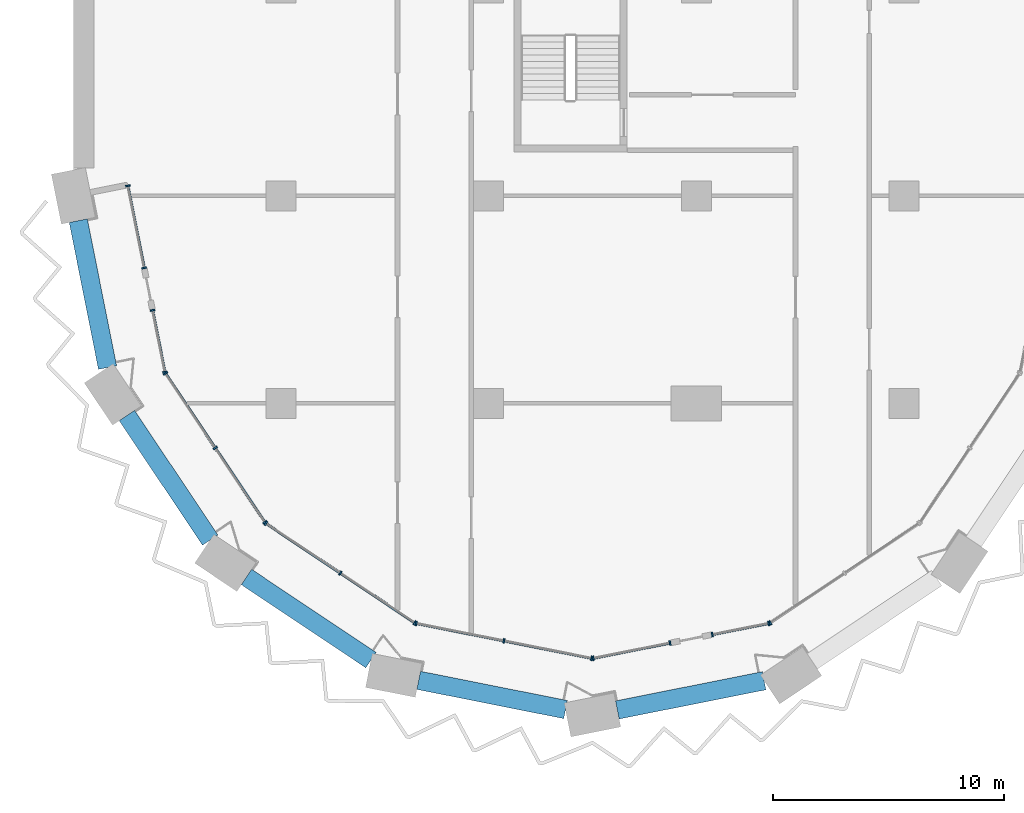
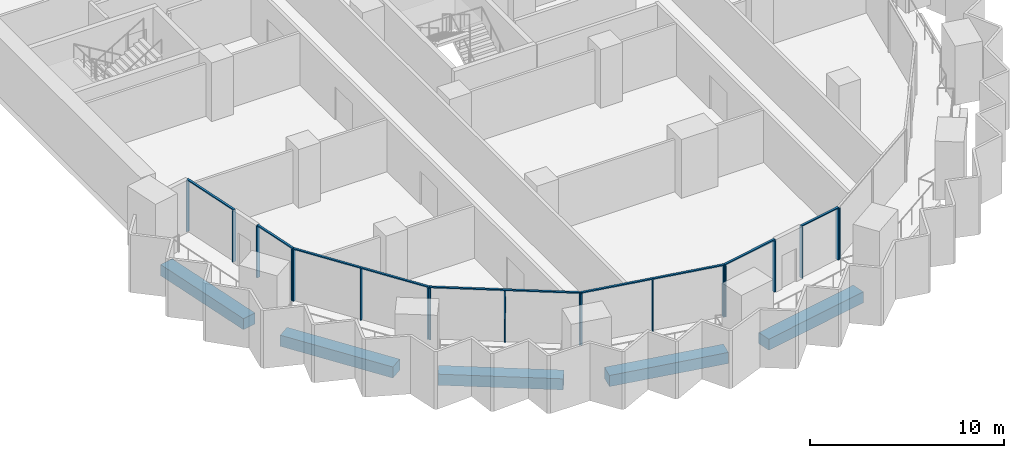
# One storey, part 2 of 23: 25 members, 5 beams, 8 elements without a shape of their own.
"""IFC4 building model written with IfcOpenShell, lengths in metres."""

from ifc_helpers import new_model, si_unit, direction, frame, origin, origin_2d, place, context, subcontext, project, spatial, rectangle, extrude, material, material_profile, profile_set, type_object, element, aggregate, save


model = new_model("IFC4")

# Units and contexts
model_context = context("Model", 3, precision=1e-05, world=origin(), true_north=direction((0.0, 1.0)))
body_context = subcontext(model_context, "Body", "Model", "MODEL_VIEW")
ifc_project = project(units=[si_unit("LENGTHUNIT", "METRE"), si_unit("AREAUNIT", "SQUARE_METRE"), si_unit("VOLUMEUNIT", "CUBIC_METRE"), si_unit("PLANEANGLEUNIT", "RADIAN"), si_unit("MASSUNIT", "GRAM", prefix="KILO")], contexts=[model_context])

# Site, building, storey
site_placement = place(None, origin())
site = spatial("IfcSite", under=ifc_project, at=site_placement, CompositionType="ELEMENT")
building_placement = place(site_placement, origin())
building = spatial("IfcBuilding", under=site, at=building_placement, Name="Hunhe Ridgeline Campus", CompositionType="ELEMENT")
storey_placement = place(building_placement, frame((0.0, 0.0, 107.0)))
storey = spatial("IfcBuildingStorey", under=building, at=storey_placement, Name="L26", CompositionType="ELEMENT", Elevation=107.0)

# Curtain wall, members
ifc_material_1 = material(Name="Aluminium 6063", Category="aluminium")
curtain_wall_type = type_object("IfcCurtainWallType", Name="Curtain wall CW-5", PredefinedType="NOTDEFINED", material=ifc_material_1)
curtain_wall_1_placement = place(storey_placement, origin())
curtain_wall_1 = element("IfcCurtainWall", 1, at=curtain_wall_1_placement, inside=storey, type_object=curtain_wall_type, Name="Curtain wall 01", PredefinedType="NOTDEFINED")
ifc_material_profile_1 = material_profile(ifc_material_1, rectangle(XDim=0.199951171875, YDim=0.070068359375, at=origin_2d()))
ifc_profile_set_1 = profile_set([ifc_material_profile_1], Name="Aluminium 6063")
member_type_1 = type_object("IfcMemberType", Name="CW-5 aluminium mullion", PredefinedType="MULLION", material=ifc_profile_set_1)
member_1_placement = place(storey_placement, frame((2.361572265625, 27.434326171875, 0.0), z_axis=(0.0, 0.0, 1.0), x_axis=(0.980784284924, 0.195095326561, 0.0)))
member_1 = element("IfcMember", 2, at=member_1_placement, type_object=member_type_1, Name="CW-5 mullion 1", PredefinedType="MULLION", context=body_context, shape_type="SweptSolid", body=[
    extrude(rectangle(XDim=0.199951171875, YDim=0.070068359375, at=origin_2d()), origin(), (0.0, 0.0, 1.0), 3.22998046875),
])
member_2_placement = place(storey_placement, frame((3.070068359375, 23.873291015625, 0.0), z_axis=(0.0, 0.0, 1.0), x_axis=(0.980784284924, 0.195095326561, 0.0)))
member_2 = element("IfcMember", 3, at=member_2_placement, type_object=member_type_1, Name="CW-5 mullion 2", PredefinedType="MULLION", context=body_context, shape_type="SweptSolid", body=[
    extrude(rectangle(XDim=0.199951171875, YDim=0.070068359375, at=origin_2d()), origin(), (0.0, 0.0, 1.0), 3.22998046875),
])

curtain_wall_2_placement = place(storey_placement, origin())
curtain_wall_2 = element("IfcCurtainWall", 4, at=curtain_wall_2_placement, inside=storey, type_object=curtain_wall_type, Name="Curtain wall 02", PredefinedType="NOTDEFINED")
member_3_placement = place(storey_placement, frame((3.434814453125, 22.0390625, 0.0), z_axis=(0.0, 0.0, 1.0), x_axis=(0.980784297053, 0.195095265587, 0.0)))
member_3 = element("IfcMember", 5, at=member_3_placement, type_object=member_type_1, Name="CW-5 mullion 1", PredefinedType="MULLION", context=body_context, shape_type="SweptSolid", body=[
    extrude(rectangle(XDim=0.199951171875, YDim=0.070068359375, at=origin_2d()), origin(), (0.0, 0.0, 1.0), 3.22998046875),
])
member_4_placement = place(storey_placement, frame((3.967529296875, 19.36083984375, 0.0), z_axis=(0.0, 0.0, 1.0), x_axis=(0.980784297053, 0.195095265587, 0.0)))
member_4 = element("IfcMember", 6, at=member_4_placement, type_object=member_type_1, Name="CW-5 mullion 2", PredefinedType="MULLION", context=body_context, shape_type="SweptSolid", body=[
    extrude(rectangle(XDim=0.199951171875, YDim=0.070068359375, at=origin_2d()), origin(), (0.0, 0.0, 1.0), 3.22998046875),
])

curtain_wall_3_placement = place(storey_placement, origin())
curtain_wall_3 = element("IfcCurtainWall", 7, at=curtain_wall_3_placement, inside=storey, type_object=curtain_wall_type, Name="Curtain wall 03", PredefinedType="NOTDEFINED")
member_5_placement = place(storey_placement, frame((3.993896484375, 19.29736328125, 0.0), z_axis=(0.0, 0.0, 1.0), x_axis=(0.831469584522, 0.555570274596, 0.0)))
member_5 = element("IfcMember", 8, at=member_5_placement, type_object=member_type_1, Name="CW-5 mullion 1", PredefinedType="MULLION", context=body_context, shape_type="SweptSolid", body=[
    extrude(rectangle(XDim=0.199951171875, YDim=0.070068359375, at=origin_2d()), origin(), (0.0, 0.0, 1.0), 3.22998046875),
])
member_6_placement = place(storey_placement, frame((6.147705078125, 16.07373046875, 0.0), z_axis=(0.0, 0.0, 1.0), x_axis=(0.831469584522, 0.555570274596, 0.0)))
member_6 = element("IfcMember", 9, at=member_6_placement, type_object=member_type_1, Name="CW-5 mullion 2", PredefinedType="MULLION", context=body_context, shape_type="SweptSolid", body=[
    extrude(rectangle(XDim=0.199951171875, YDim=0.070068359375, at=origin_2d()), origin(), (0.0, 0.0, 1.0), 3.22998046875),
])
member_7_placement = place(storey_placement, frame((8.3017578125, 12.850341796875, 0.0), z_axis=(0.0, 0.0, 1.0), x_axis=(0.831469584522, 0.555570274596, 0.0)))
member_7 = element("IfcMember", 10, at=member_7_placement, type_object=member_type_1, Name="CW-5 mullion 3", PredefinedType="MULLION", context=body_context, shape_type="SweptSolid", body=[
    extrude(rectangle(XDim=0.199951171875, YDim=0.070068359375, at=origin_2d()), origin(), (0.0, 0.0, 1.0), 3.22998046875),
])

curtain_wall_4_placement = place(storey_placement, origin())
curtain_wall_4 = element("IfcCurtainWall", 11, at=curtain_wall_4_placement, inside=storey, type_object=curtain_wall_type, Name="Curtain wall 04", PredefinedType="NOTDEFINED")
member_8_placement = place(storey_placement, frame((8.350341796875, 12.8017578125, 0.0), z_axis=(0.0, 0.0, 1.0), x_axis=(0.555570274596, 0.831469584522, 0.0)))
member_8 = element("IfcMember", 12, at=member_8_placement, type_object=member_type_1, Name="CW-5 mullion 1", PredefinedType="MULLION", context=body_context, shape_type="SweptSolid", body=[
    extrude(rectangle(XDim=0.199951171875, YDim=0.070068359375, at=origin_2d()), origin(), (0.0, 0.0, 1.0), 3.22998046875),
])
member_9_placement = place(storey_placement, frame((11.57373046875, 10.647705078125, 0.0), z_axis=(0.0, 0.0, 1.0), x_axis=(0.555570274596, 0.831469584522, 0.0)))
member_9 = element("IfcMember", 13, at=member_9_placement, type_object=member_type_1, Name="CW-5 mullion 2", PredefinedType="MULLION", context=body_context, shape_type="SweptSolid", body=[
    extrude(rectangle(XDim=0.199951171875, YDim=0.070068359375, at=origin_2d()), origin(), (0.0, 0.0, 1.0), 3.22998046875),
])
member_10_placement = place(storey_placement, frame((14.79736328125, 8.493896484375, 0.0), z_axis=(0.0, 0.0, 1.0), x_axis=(0.555570274596, 0.831469584522, 0.0)))
member_10 = element("IfcMember", 14, at=member_10_placement, type_object=member_type_1, Name="CW-5 mullion 3", PredefinedType="MULLION", context=body_context, shape_type="SweptSolid", body=[
    extrude(rectangle(XDim=0.199951171875, YDim=0.070068359375, at=origin_2d()), origin(), (0.0, 0.0, 1.0), 3.22998046875),
])

curtain_wall_5_placement = place(storey_placement, origin())
curtain_wall_5 = element("IfcCurtainWall", 15, at=curtain_wall_5_placement, inside=storey, type_object=curtain_wall_type, Name="Curtain wall 05", PredefinedType="NOTDEFINED")
member_11_placement = place(storey_placement, frame((14.86083984375, 8.467529296875, 0.0), z_axis=(0.0, 0.0, 1.0), x_axis=(0.195090347539, 0.980785275326, 0.0)))
member_11 = element("IfcMember", 16, at=member_11_placement, type_object=member_type_1, Name="CW-5 mullion 1", PredefinedType="MULLION", context=body_context, shape_type="SweptSolid", body=[
    extrude(rectangle(XDim=0.199951171875, YDim=0.070068359375, at=origin_2d()), origin(), (0.0, 0.0, 1.0), 3.22998046875),
])
member_12_placement = place(storey_placement, frame((18.663330078125, 7.711181640625, 0.0), z_axis=(0.0, 0.0, 1.0), x_axis=(0.195090347539, 0.980785275326, 0.0)))
member_12 = element("IfcMember", 17, at=member_12_placement, type_object=member_type_1, Name="CW-5 mullion 2", PredefinedType="MULLION", context=body_context, shape_type="SweptSolid", body=[
    extrude(rectangle(XDim=0.199951171875, YDim=0.070068359375, at=origin_2d()), origin(), (0.0, 0.0, 1.0), 3.22998046875),
])
member_13_placement = place(storey_placement, frame((22.465576171875, 6.954833984375, 0.0), z_axis=(0.0, 0.0, 1.0), x_axis=(0.195090347539, 0.980785275326, 0.0)))
member_13 = element("IfcMember", 18, at=member_13_placement, type_object=member_type_1, Name="CW-5 mullion 3", PredefinedType="MULLION", context=body_context, shape_type="SweptSolid", body=[
    extrude(rectangle(XDim=0.199951171875, YDim=0.070068359375, at=origin_2d()), origin(), (0.0, 0.0, 1.0), 3.22998046875),
])

curtain_wall_6_placement = place(storey_placement, origin())
curtain_wall_6 = element("IfcCurtainWall", 19, at=curtain_wall_6_placement, inside=storey, type_object=curtain_wall_type, Name="Curtain wall 06", PredefinedType="NOTDEFINED")
member_14_placement = place(storey_placement, frame((22.534423828125, 6.954833984375, 0.0), z_axis=(0.0, 0.0, 1.0), x_axis=(-0.19509037034, 0.980785270791, 0.0)))
member_14 = element("IfcMember", 20, at=member_14_placement, type_object=member_type_1, Name="CW-5 mullion 1", PredefinedType="MULLION", context=body_context, shape_type="SweptSolid", body=[
    extrude(rectangle(XDim=0.199951171875, YDim=0.070068359375, at=origin_2d()), origin(), (0.0, 0.0, 1.0), 3.22998046875),
])
member_15_placement = place(storey_placement, frame((25.861083984375, 7.61669921875, 0.0), z_axis=(0.0, 0.0, 1.0), x_axis=(-0.19509037034, 0.980785270791, 0.0)))
member_15 = element("IfcMember", 21, at=member_15_placement, type_object=member_type_1, Name="CW-5 mullion 2", PredefinedType="MULLION", context=body_context, shape_type="SweptSolid", body=[
    extrude(rectangle(XDim=0.199951171875, YDim=0.070068359375, at=origin_2d()), origin(), (0.0, 0.0, 1.0), 3.22998046875),
])

curtain_wall_7_placement = place(storey_placement, origin())
curtain_wall_7 = element("IfcCurtainWall", 22, at=curtain_wall_7_placement, inside=storey, type_object=curtain_wall_type, Name="Curtain wall 07", PredefinedType="NOTDEFINED")
member_16_placement = place(storey_placement, frame((27.695068359375, 7.9814453125, 0.0), z_axis=(0.0, 0.0, 1.0), x_axis=(-0.195090514627, 0.980785242091, 0.0)))
member_16 = element("IfcMember", 23, at=member_16_placement, type_object=member_type_1, Name="CW-5 mullion 1", PredefinedType="MULLION", context=body_context, shape_type="SweptSolid", body=[
    extrude(rectangle(XDim=0.199951171875, YDim=0.070068359375, at=origin_2d()), origin(), (0.0, 0.0, 1.0), 3.22998046875),
])
member_17_placement = place(storey_placement, frame((30.13916015625, 8.467529296875, 0.0), z_axis=(0.0, 0.0, 1.0), x_axis=(-0.195090514627, 0.980785242091, 0.0)))
member_17 = element("IfcMember", 24, at=member_17_placement, type_object=member_type_1, Name="CW-5 mullion 2", PredefinedType="MULLION", context=body_context, shape_type="SweptSolid", body=[
    extrude(rectangle(XDim=0.199951171875, YDim=0.070068359375, at=origin_2d()), origin(), (0.0, 0.0, 1.0), 3.22998046875),
])

# Curtain wall, member
curtain_wall_8_placement = place(storey_placement, origin())
curtain_wall_8 = element("IfcCurtainWall", 25, at=curtain_wall_8_placement, inside=storey, type_object=curtain_wall_type, Name="Curtain wall 08", PredefinedType="NOTDEFINED")
member_18_placement = place(storey_placement, frame((30.20263671875, 8.493896484375, 0.0), z_axis=(0.0, 0.0, 1.0), x_axis=(-0.555570274596, 0.831469584522, 0.0)))
member_18 = element("IfcMember", 26, at=member_18_placement, type_object=member_type_1, Name="CW-5 mullion 1", PredefinedType="MULLION", context=body_context, shape_type="SweptSolid", body=[
    extrude(rectangle(XDim=0.199951171875, YDim=0.070068359375, at=origin_2d()), origin(), (0.0, 0.0, 1.0), 3.22998046875),
])
aggregate(curtain_wall_8, [member_18])

# Member
ifc_material_profile_2 = material_profile(ifc_material_1, rectangle(XDim=0.1201171875, YDim=0.070068359375, at=origin_2d()))
ifc_profile_set_2 = profile_set([ifc_material_profile_2], Name="Aluminium 6063")
member_type_2 = type_object("IfcMemberType", Name="CW-5 aluminium transom", PredefinedType="USERDEFINED", material=ifc_profile_set_2)
member_19_placement = place(storey_placement, frame((2.354736328125, 27.46875, 3.264892578125), z_axis=(0.195126549745, -0.980778073564, 0.0), x_axis=(0.980778073564, 0.195126549745, 0.0)))
member_19 = element("IfcMember", 27, at=member_19_placement, type_object=member_type_2, Name="CW-5 transom 1", ObjectType="TRANSOM", PredefinedType="USERDEFINED", context=body_context, shape_type="SweptSolid", body=[
    extrude(rectangle(XDim=0.1201171875, YDim=0.070068359375, at=origin_2d()), origin(), (0.0, 0.0, 1.0), 3.700927734375),
])

aggregate(curtain_wall_1, [member_19, member_1, member_2])

member_20_placement = place(storey_placement, frame((3.427978515625, 22.073486328125, 3.264892578125), z_axis=(0.195076742145, -0.98078798151, 0.0), x_axis=(0.98078798151, 0.195076742145, 0.0)))
member_20 = element("IfcMember", 28, at=member_20_placement, type_object=member_type_2, Name="CW-5 transom 1", ObjectType="TRANSOM", PredefinedType="USERDEFINED", context=body_context, shape_type="SweptSolid", body=[
    extrude(rectangle(XDim=0.1201171875, YDim=0.070068359375, at=origin_2d()), origin(), (0.0, 0.0, 1.0), 2.80078125),
])

aggregate(curtain_wall_2, [member_20, member_3, member_4])

member_21_placement = place(storey_placement, frame((3.974365234375, 19.326416015625, 3.264892578125), z_axis=(0.5555640203, -0.831473763475, 0.0), x_axis=(0.831473763475, 0.5555640203, 0.0)))
member_21 = element("IfcMember", 29, at=member_21_placement, type_object=member_type_2, Name="CW-5 transom 1", ObjectType="TRANSOM", PredefinedType="USERDEFINED", context=body_context, shape_type="SweptSolid", body=[
    extrude(rectangle(XDim=0.1201171875, YDim=0.070068359375, at=origin_2d()), origin(), (0.0, 0.0, 1.0), 7.823974609375),
])

aggregate(curtain_wall_3, [member_21, member_5, member_6, member_7])

member_22_placement = place(storey_placement, frame((8.321044921875, 12.821044921875, 3.264892578125), z_axis=(0.831473763475, -0.5555640203, 0.0), x_axis=(0.5555640203, 0.831473763475, 0.0)))
member_22 = element("IfcMember", 30, at=member_22_placement, type_object=member_type_2, Name="CW-5 transom 1", ObjectType="TRANSOM", PredefinedType="USERDEFINED", context=body_context, shape_type="SweptSolid", body=[
    extrude(rectangle(XDim=0.1201171875, YDim=0.070068359375, at=origin_2d()), origin(), (0.0, 0.0, 1.0), 7.823974609375),
])

aggregate(curtain_wall_4, [member_22, member_8, member_9, member_10])

member_23_placement = place(storey_placement, frame((14.826416015625, 8.474365234375, 3.264892578125), z_axis=(0.980785367689, -0.195089883198, 0.0), x_axis=(0.195089883198, 0.980785367689, 0.0)))
member_23 = element("IfcMember", 31, at=member_23_placement, type_object=member_type_2, Name="CW-5 transom 1", ObjectType="TRANSOM", PredefinedType="USERDEFINED", context=body_context, shape_type="SweptSolid", body=[
    extrude(rectangle(XDim=0.1201171875, YDim=0.070068359375, at=origin_2d()), origin(), (0.0, 0.0, 1.0), 7.823974609375),
])

aggregate(curtain_wall_5, [member_23, member_11, member_12, member_13])

member_24_placement = place(storey_placement, frame((22.5, 6.947998046875, 3.264892578125), z_axis=(0.980778171596, 0.195126057004, 0.0), x_axis=(-0.195126057004, 0.980778171596, 0.0)))
member_24 = element("IfcMember", 32, at=member_24_placement, type_object=member_type_2, Name="CW-5 transom 1", ObjectType="TRANSOM", PredefinedType="USERDEFINED", context=body_context, shape_type="SweptSolid", body=[
    extrude(rectangle(XDim=0.1201171875, YDim=0.070068359375, at=origin_2d()), origin(), (0.0, 0.0, 1.0), 3.462158203125),
])

aggregate(curtain_wall_6, [member_24, member_14, member_15])

member_25_placement = place(storey_placement, frame((27.660888671875, 7.974609375, 3.264892578125), z_axis=(0.980789038007, 0.195071430315, 0.0), x_axis=(-0.195071430315, 0.980789038007, 0.0)))
member_25 = element("IfcMember", 33, at=member_25_placement, type_object=member_type_2, Name="CW-5 transom 1", ObjectType="TRANSOM", PredefinedType="USERDEFINED", context=body_context, shape_type="SweptSolid", body=[
    extrude(rectangle(XDim=0.1201171875, YDim=0.070068359375, at=origin_2d()), origin(), (0.0, 0.0, 1.0), 2.56201171875),
])

aggregate(curtain_wall_7, [member_25, member_16, member_17])

# Beams
ifc_material_2 = material(Name="Concrete C60", Category="concrete")
ifc_material_profile_3 = material_profile(ifc_material_2, rectangle(XDim=0.800048828125, YDim=0.699951171875, at=origin_2d()))
ifc_profile_set_3 = profile_set([ifc_material_profile_3], Name="Concrete C60")
beam_type = type_object("IfcBeamType", Name="RC spandrel beam 800x700 Concrete C60", PredefinedType="SPANDREL", material=ifc_profile_set_3)
for number, where, z_axis, x_axis, name in (
    (34, (0.214599609375, 25.921142578125, -0.60009765625), (0.195095759636, -0.980784198778, 0.0), (0.980784198778, 0.195095759636, 0.0), "Spandrel beam B1-1 L26"),
    (35, (2.32373046875, 17.47509765625, -0.60009765625), (0.555585540178, -0.831459384183, 0.0), (0.831459384183, 0.555585540178, 0.0), "Spandrel beam B1-2 L26"),
    (36, (7.504638671875, 10.47900390625, -0.60009765625), (0.831476765351, -0.555559527577, 0.0), (0.555559527577, 0.831476765351, 0.0), "Spandrel beam B1-3 L26"),
    (37, (14.968505859375, 5.998046875, -0.60009765625), (0.980784198778, -0.195095759636, 0.0), (0.195095759636, 0.980784198778, 0.0), "Spandrel beam B1-4 L26"),
    (38, (23.578857421875, 4.714599609375, -0.60009765625), (0.980784198778, 0.195095759636, 0.0), (-0.195095759636, 0.980784198778, 0.0), "Spandrel beam B1-5 L26"),
):
    element("IfcBeam", number, at=place(storey_placement, frame(where, z_axis=z_axis, x_axis=x_axis)), inside=storey, type_object=beam_type, Name=name, PredefinedType="SPANDREL", context=body_context, shape_type="SweptSolid", body=[
        extrude(rectangle(XDim=0.800048828125, YDim=0.699951171875, at=origin_2d()), origin(), (0.0, 0.0, 1.0), 6.488525390625),
    ])

save(model, "model.ifc")
